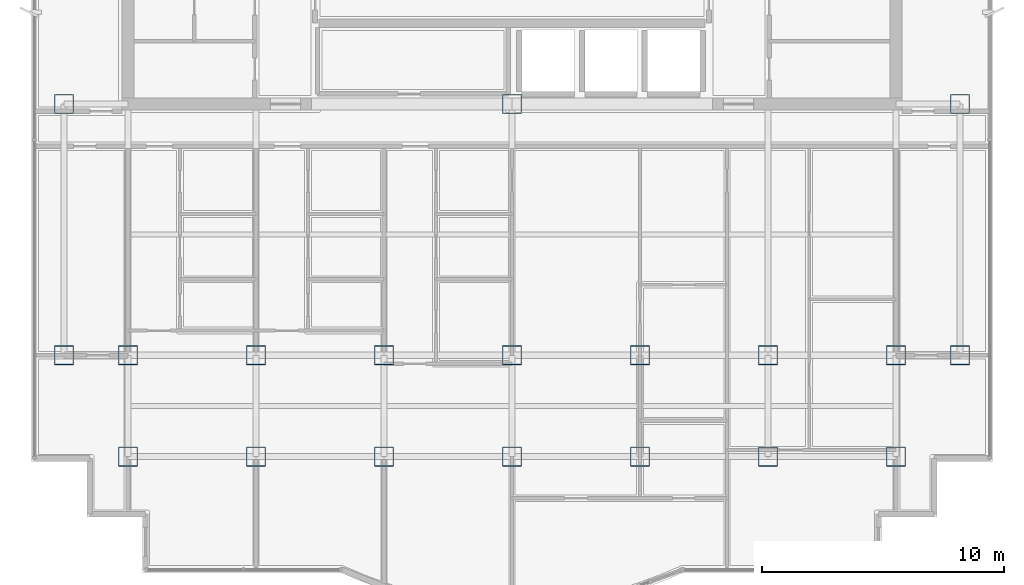
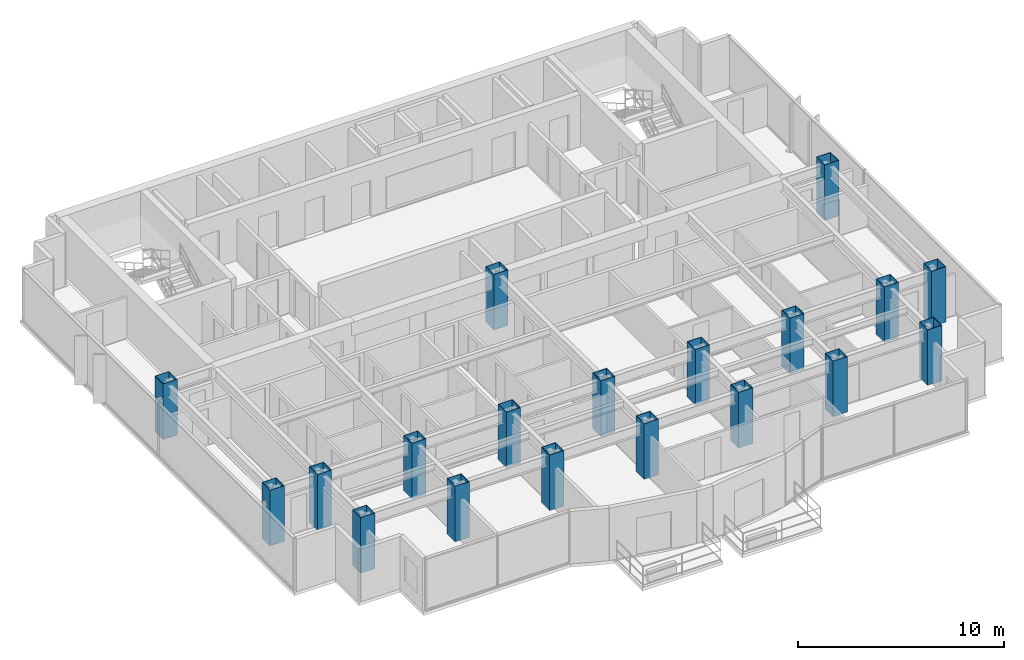
# One storey, part 1 of 12: 19 columns.
"""IFC4 building model written with IfcOpenShell, lengths in metres."""

from ifc_helpers import new_model, si_unit, direction, frame, origin, origin_2d, place, context, subcontext, project, spatial, hollow_rectangle, extrude, material, material_profile, profile_set, type_object, element, save


model = new_model("IFC4")

# Units and contexts
model_context = context("Model", 3, precision=1e-05, world=origin(), true_north=direction((0.0, 1.0)))
body_context = subcontext(model_context, "Body", "Model", "MODEL_VIEW")
ifc_project = project(units=[si_unit("LENGTHUNIT", "METRE"), si_unit("AREAUNIT", "SQUARE_METRE"), si_unit("VOLUMEUNIT", "CUBIC_METRE"), si_unit("PLANEANGLEUNIT", "RADIAN"), si_unit("MASSUNIT", "GRAM", prefix="KILO")], contexts=[model_context])

# Site, building, storey
site_placement = place(None, origin())
site = spatial("IfcSite", under=ifc_project, at=site_placement, CompositionType="ELEMENT")
building_placement = place(site_placement, origin())
building = spatial("IfcBuilding", under=site, at=building_placement, Name="Qianlan Lanfeng Residences", CompositionType="ELEMENT")
storey_placement = place(building_placement, frame((0.0, 0.0, 196.699951171875)))
storey = spatial("IfcBuildingStorey", under=building, at=storey_placement, Name="L53", CompositionType="ELEMENT", Elevation=196.699951171875)

# Columns
ifc_material = material(Name="Steel SN490B", Category="steel")
ifc_material_profile_1 = material_profile(ifc_material, hollow_rectangle(XDim=0.800048828125, YDim=0.800048828125, WallThickness=0.028076171875, at=origin_2d()), Name="BOX 800x800x28")
ifc_profile_set_1 = profile_set([ifc_material_profile_1], Name="Steel SN490B")
column_type_1 = type_object("IfcColumnType", Name="C-B850", PredefinedType="COLUMN", material=ifc_profile_set_1)
for number, where, z_axis, x_axis, name in (
    (1, (26.5, 25.199951171875, 0.0), (0.0, 0.0, 1.0), (1.0, 0.0, 0.0), "L53 Structural Column CP_26.5_25.2"),
    (2, (10.60009765625, 14.800048828125, 0.0), (0.0, 0.0, 1.0), (1.0, 0.0, 0.0), "L53 Structural Column M_10.60_14.80"),
    (3, (15.89990234375, 14.800048828125, 0.0), (0.0, 0.0, 1.0), (1.0, 0.0, 0.0), "L53 Structural Column M_15.90_14.80"),
    (4, (15.89990234375, 10.60009765625, 0.0), (0.0, 0.0, 1.0), (1.0, 0.0, 0.0), "L53 Structural Column G_15.90_10.60"),
    (5, (21.199951171875, 14.800048828125, 0.0), (0.0, 0.0, 1.0), (1.0, 0.0, 0.0), "L53 Structural Column M_21.20_14.80"),
    (6, (21.199951171875, 10.60009765625, 0.0), (0.0, 0.0, 1.0), (1.0, 0.0, 0.0), "L53 Structural Column G_21.20_10.60"),
    (7, (26.5, 14.800048828125, 0.0), (0.0, 0.0, 1.0), (1.0, 0.0, 0.0), "L53 Structural Column M_26.50_14.80"),
    (8, (26.5, 10.60009765625, 0.0), (0.0, 0.0, 1.0), (1.0, 0.0, 0.0), "L53 Structural Column G_26.50_10.60"),
    (9, (31.800048828125, 14.800048828125, 0.0), (0.0, 0.0, 1.0), (1.0, 0.0, 0.0), "L53 Structural Column M_31.80_14.80"),
    (10, (31.800048828125, 10.60009765625, 0.0), (0.0, 0.0, 1.0), (1.0, 0.0, 0.0), "L53 Structural Column G_31.80_10.60"),
    (11, (37.10009765625, 14.800048828125, 0.0), (0.0, 0.0, 1.0), (1.0, 0.0, 0.0), "L53 Structural Column M_37.10_14.80"),
    (12, (37.10009765625, 10.60009765625, 0.0), (0.0, 0.0, 1.0), (1.0, 0.0, 0.0), "L53 Structural Column G_37.10_10.60"),
    (13, (42.39990234375, 14.800048828125, 0.0), (0.0, 0.0, 1.0), (1.0, 0.0, 0.0), "L53 Structural Column M_42.40_14.80"),
):
    element("IfcColumn", number, at=place(storey_placement, frame(where, z_axis=z_axis, x_axis=x_axis)), inside=storey, type_object=column_type_1, Name=name, PredefinedType="COLUMN", context=body_context, shape_type="SweptSolid", body=[
        extrude(hollow_rectangle(XDim=0.800048828125, YDim=0.800048828125, WallThickness=0.028076171875, at=origin_2d()), origin(), (0.0, 0.0, 1.0), 3.300048828125),
    ])
ifc_material_profile_2 = material_profile(ifc_material, hollow_rectangle(XDim=0.800048828125, YDim=0.800048828125, WallThickness=0.028076171875, at=origin_2d()), Name="BOX 800x800x28")
ifc_profile_set_2 = profile_set([ifc_material_profile_2], Name="Steel SN490B")
column_type_2 = type_object("IfcColumnType", Name="CE-B800", PredefinedType="COLUMN", material=ifc_profile_set_2)
for number, where, z_axis, x_axis, name in (
    (14, (10.60009765625, 10.60009765625, 0.0), (0.0, 0.0, 1.0), (1.0, 0.0, 0.0), "L53 Structural Column G_10.60_10.60"),
    (15, (42.39990234375, 10.60009765625, 0.0), (0.0, 0.0, 1.0), (1.0, 0.0, 0.0), "L53 Structural Column G_42.40_10.60"),
    (16, (7.949951171875, 14.800048828125, 0.0), (0.0, 0.0, 1.0), (1.0, 0.0, 0.0), "L53 Structural Column W_7.95_14.80"),
    (17, (7.949951171875, 25.199951171875, 0.0), (0.0, 0.0, 1.0), (1.0, 0.0, 0.0), "L53 Structural Column W_7.95_25.20"),
    (18, (45.050048828125, 14.800048828125, 0.0), (0.0, 0.0, 1.0), (1.0, 0.0, 0.0), "L53 Structural Column W_45.05_14.80"),
    (19, (45.050048828125, 25.199951171875, 0.0), (0.0, 0.0, 1.0), (1.0, 0.0, 0.0), "L53 Structural Column W_45.05_25.20"),
):
    element("IfcColumn", number, at=place(storey_placement, frame(where, z_axis=z_axis, x_axis=x_axis)), inside=storey, type_object=column_type_2, Name=name, PredefinedType="COLUMN", context=body_context, shape_type="SweptSolid", body=[
        extrude(hollow_rectangle(XDim=0.800048828125, YDim=0.800048828125, WallThickness=0.028076171875, at=origin_2d()), origin(), (0.0, 0.0, 1.0), 3.300048828125),
    ])

save(model, "model.ifc")
